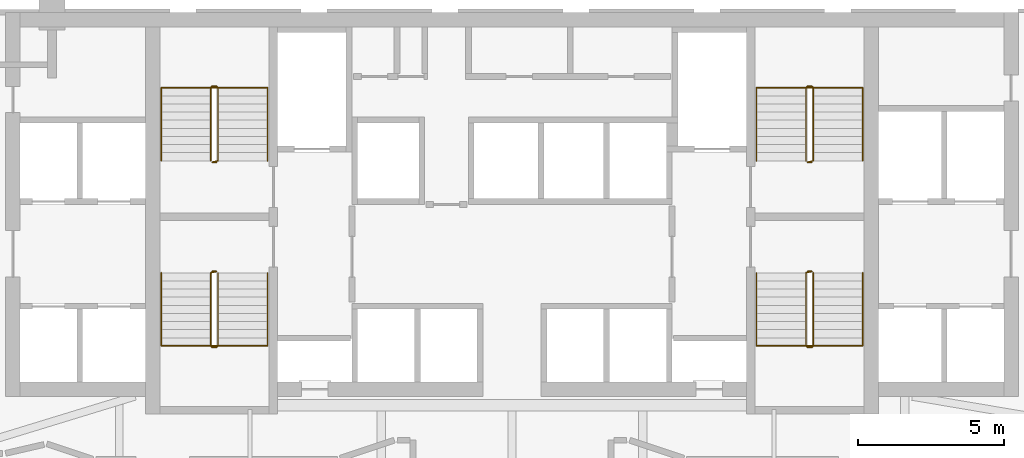
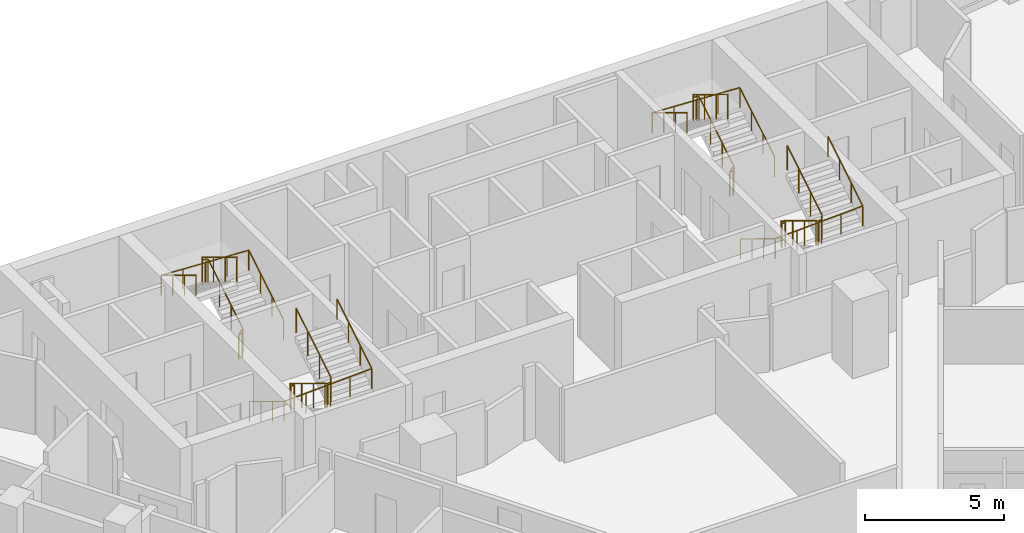
# One storey, part 10 of 10: 8 railings.
"""IFC4 building model written with IfcOpenShell, lengths in metres."""

from ifc_helpers import new_model, si_unit, direction, frame, origin, origin_2d, place, context, subcontext, project, spatial, circle, extrude, material, type_object, element, save


model = new_model("IFC4")

# Units and contexts
model_context = context("Model", 3, precision=1e-05, world=origin(), true_north=direction((0.0, 1.0)))
body_context = subcontext(model_context, "Body", "Model", "MODEL_VIEW")
ifc_project = project(units=[si_unit("LENGTHUNIT", "METRE"), si_unit("AREAUNIT", "SQUARE_METRE"), si_unit("VOLUMEUNIT", "CUBIC_METRE"), si_unit("PLANEANGLEUNIT", "RADIAN"), si_unit("MASSUNIT", "GRAM", prefix="KILO")], contexts=[model_context])

# Site, building, storey
site_placement = place(None, origin())
site = spatial("IfcSite", under=ifc_project, at=site_placement, CompositionType="ELEMENT")
building_placement = place(site_placement, origin())
building = spatial("IfcBuilding", under=site, at=building_placement, Name="Calabash Gate Tower", CompositionType="ELEMENT")
storey_placement = place(building_placement, frame((0.0, 0.0, 95.199951171875)))
storey = spatial("IfcBuildingStorey", under=building, at=storey_placement, Name="L20", CompositionType="ELEMENT", Elevation=95.199951171875)

# Railings
ifc_material_1 = material(Name="Black powder-coated steel balusters", Category="steel")
railing_type_1 = type_object("IfcRailingType", Name="Stair guard RL1100", PredefinedType="GUARDRAIL", material=ifc_material_1)
railing_1_placement = place(storey_placement, frame((-10.14990234375, 13.902587890625, 0.0)))
element("IfcRailing", 1, at=railing_1_placement, inside=storey, type_object=railing_type_1, Name="L20 ST1 stair guard 1", PredefinedType="GUARDRAIL", context=body_context, shape_type="SweptSolid", body=[
    extrude(circle(Radius=0.02392578125, at=origin_2d()), frame((0.0, 0.0, 1.076171875), z_axis=(-1.0, 0.0, 0.0), x_axis=(0.0, -1.0, 0.0)), (0.0, 0.0, 1.0), 0.150146484375),
    extrude(circle(Radius=0.02392578125, at=origin_2d()), frame((-0.150146484375, 0.0, 1.076171875), z_axis=(0.748079357382, 0.187248190798, 0.636643848712), x_axis=(-0.242814311512, 0.970072785993, 0.0)), (0.0, 0.0, 1.0), 0.267333984375),
    extrude(circle(Radius=0.02392578125, at=origin_2d()), frame((0.0498046875, 0.050048828125, 1.24609375), z_axis=(0.0, 0.853993254676, 0.52028407718), x_axis=(-1.0, 0.0, 0.0)), (0.0, 0.0, 1.0), 2.940185546875),
    extrude(circle(Radius=0.02392578125, at=origin_2d()), frame((0.0498046875, 2.56103515625, 2.77587890625), z_axis=(-0.705375805398, 0.708833529934, 0.0), x_axis=(-0.708833529934, -0.705375805398, 0.0)), (0.0, 0.0, 1.0), 0.070556640625),
    extrude(circle(Radius=0.02392578125, at=origin_2d()), frame((0.0, 2.611083984375, 2.77587890625), z_axis=(-1.0, 0.0, 0.0), x_axis=(0.0, -1.0, 0.0)), (0.0, 0.0, 1.0), 0.150146484375),
    extrude(circle(Radius=0.02392578125, at=origin_2d()), frame((-0.150146484375, 2.611083984375, 2.77587890625), z_axis=(-0.271562723297, -0.271562723297, 0.923313259209), x_axis=(0.707106781187, -0.707106781187, 0.0)), (0.0, 0.0, 1.0), 0.184326171875),
    extrude(circle(Radius=0.02392578125, at=origin_2d()), frame((-0.2001953125, 2.56103515625, 2.9462890625), z_axis=(0.0, -0.853956361026, 0.520344629514), x_axis=(1.0, 0.0, 0.0)), (0.0, 0.0, 1.0), 2.9404296875),
    extrude(circle(Radius=0.02099609375, at=origin_2d()), origin(), (0.0, 0.0, 1.0), 1.052001953125),
    extrude(circle(Radius=0.02099609375, at=origin_2d()), frame((-0.150146484375, 0.0, 0.0)), (0.0, 0.0, 1.0), 1.052001953125),
    extrude(circle(Radius=0.02099609375, at=origin_2d()), frame((0.0498046875, 0.050048828125, 0.170166015625)), (0.0, 0.0, 1.0), 1.052001953125),
    extrude(circle(Radius=0.02099609375, at=origin_2d()), frame((0.0498046875, 0.886962890625, 0.68017578125)), (0.0, 0.0, 1.0), 1.052001953125),
    extrude(circle(Radius=0.02099609375, at=origin_2d()), frame((0.0498046875, 1.72412109375, 1.18994140625)), (0.0, 0.0, 1.0), 1.052001953125),
    extrude(circle(Radius=0.02099609375, at=origin_2d()), frame((0.0498046875, 2.56103515625, 1.699951171875)), (0.0, 0.0, 1.0), 1.052001953125),
    extrude(circle(Radius=0.02099609375, at=origin_2d()), frame((0.0, 2.611083984375, 1.699951171875)), (0.0, 0.0, 1.0), 1.052001953125),
    extrude(circle(Radius=0.02099609375, at=origin_2d()), frame((-0.150146484375, 2.611083984375, 1.699951171875)), (0.0, 0.0, 1.0), 1.052001953125),
    extrude(circle(Radius=0.02099609375, at=origin_2d()), frame((-0.2001953125, 2.56103515625, 1.8701171875)), (0.0, 0.0, 1.0), 1.052001953125),
    extrude(circle(Radius=0.02099609375, at=origin_2d()), frame((-0.2001953125, 1.72412109375, 2.380126953125)), (0.0, 0.0, 1.0), 1.052001953125),
    extrude(circle(Radius=0.02099609375, at=origin_2d()), frame((-0.2001953125, 0.886962890625, 2.89013671875)), (0.0, 0.0, 1.0), 1.052001953125),
    extrude(circle(Radius=0.02099609375, at=origin_2d()), frame((-0.2001953125, 0.050048828125, 3.400146484375)), (0.0, 0.0, 1.0), 1.052001953125),
])
railing_2_placement = place(storey_placement, frame((-10.300048828125, 10.152587890625, 0.0)))
element("IfcRailing", 2, at=railing_2_placement, inside=storey, type_object=railing_type_1, Name="L20 ST2 stair guard 1", PredefinedType="GUARDRAIL", context=body_context, shape_type="SweptSolid", body=[
    extrude(circle(Radius=0.02392578125, at=origin_2d()), frame((0.0, 0.0, 1.076171875), z_axis=(1.0, 0.0, 0.0), x_axis=(0.0, 1.0, 0.0)), (0.0, 0.0, 1.0), 0.150146484375),
    extrude(circle(Radius=0.02392578125, at=origin_2d()), frame((0.150146484375, 0.0, 1.076171875), z_axis=(-0.748481188565, -0.187120297141, 0.63620901028), x_axis=(0.242535625036, -0.970142500145, 0.0)), (0.0, 0.0, 1.0), 0.267578125),
    extrude(circle(Radius=0.02392578125, at=origin_2d()), frame((-0.050048828125, -0.050048828125, 1.24609375), z_axis=(0.0, -0.853993254676, 0.52028407718), x_axis=(1.0, 0.0, 0.0)), (0.0, 0.0, 1.0), 2.940185546875),
    extrude(circle(Radius=0.02392578125, at=origin_2d()), frame((-0.050048828125, -2.56103515625, 2.77587890625), z_axis=(0.707106781187, -0.707106781187, 0.0), x_axis=(0.707106781187, 0.707106781187, 0.0)), (0.0, 0.0, 1.0), 0.07080078125),
    extrude(circle(Radius=0.02392578125, at=origin_2d()), frame((0.0, -2.611083984375, 2.77587890625), z_axis=(1.0, 0.0, 0.0), x_axis=(0.0, 1.0, 0.0)), (0.0, 0.0, 1.0), 0.150146484375),
    extrude(circle(Radius=0.02392578125, at=origin_2d()), frame((0.150146484375, -2.611083984375, 2.77587890625), z_axis=(0.270335057127, 0.271660228976, 0.923644778517), x_axis=(-0.708833529934, 0.705375805398, 0.0)), (0.0, 0.0, 1.0), 0.184326171875),
    extrude(circle(Radius=0.02392578125, at=origin_2d()), frame((0.199951171875, -2.56103515625, 2.9462890625), z_axis=(0.0, 0.853956361026, 0.520344629514), x_axis=(-1.0, 0.0, 0.0)), (0.0, 0.0, 1.0), 2.9404296875),
    extrude(circle(Radius=0.02099609375, at=origin_2d()), origin(), (0.0, 0.0, 1.0), 1.052001953125),
    extrude(circle(Radius=0.02099609375, at=origin_2d()), frame((0.150146484375, 0.0, 0.0)), (0.0, 0.0, 1.0), 1.052001953125),
    extrude(circle(Radius=0.02099609375, at=origin_2d()), frame((-0.050048828125, -0.050048828125, 0.170166015625)), (0.0, 0.0, 1.0), 1.052001953125),
    extrude(circle(Radius=0.02099609375, at=origin_2d()), frame((-0.050048828125, -0.886962890625, 0.68017578125)), (0.0, 0.0, 1.0), 1.052001953125),
    extrude(circle(Radius=0.02099609375, at=origin_2d()), frame((-0.050048828125, -1.72412109375, 1.18994140625)), (0.0, 0.0, 1.0), 1.052001953125),
    extrude(circle(Radius=0.02099609375, at=origin_2d()), frame((-0.050048828125, -2.56103515625, 1.699951171875)), (0.0, 0.0, 1.0), 1.052001953125),
    extrude(circle(Radius=0.02099609375, at=origin_2d()), frame((0.0, -2.611083984375, 1.699951171875)), (0.0, 0.0, 1.0), 1.052001953125),
    extrude(circle(Radius=0.02099609375, at=origin_2d()), frame((0.150146484375, -2.611083984375, 1.699951171875)), (0.0, 0.0, 1.0), 1.052001953125),
    extrude(circle(Radius=0.02099609375, at=origin_2d()), frame((0.199951171875, -2.56103515625, 1.8701171875)), (0.0, 0.0, 1.0), 1.052001953125),
    extrude(circle(Radius=0.02099609375, at=origin_2d()), frame((0.199951171875, -1.72412109375, 2.380126953125)), (0.0, 0.0, 1.0), 1.052001953125),
    extrude(circle(Radius=0.02099609375, at=origin_2d()), frame((0.199951171875, -0.886962890625, 2.89013671875)), (0.0, 0.0, 1.0), 1.052001953125),
    extrude(circle(Radius=0.02099609375, at=origin_2d()), frame((0.199951171875, -0.050048828125, 3.400146484375)), (0.0, 0.0, 1.0), 1.052001953125),
])
railing_3_placement = place(storey_placement, frame((10.300048828125, 13.902587890625, 0.0)))
element("IfcRailing", 3, at=railing_3_placement, inside=storey, type_object=railing_type_1, Name="L20 ST3 stair guard 1", PredefinedType="GUARDRAIL", context=body_context, shape_type="SweptSolid", body=[
    extrude(circle(Radius=0.02392578125, at=origin_2d()), frame((0.0, 0.0, 1.076171875), z_axis=(-1.0, 0.0, 0.0), x_axis=(0.0, -1.0, 0.0)), (0.0, 0.0, 1.0), 0.150146484375),
    extrude(circle(Radius=0.02392578125, at=origin_2d()), frame((-0.150146484375, 0.0, 1.076171875), z_axis=(0.748481188565, 0.187120297141, 0.63620901028), x_axis=(-0.242535625036, 0.970142500145, 0.0)), (0.0, 0.0, 1.0), 0.267578125),
    extrude(circle(Radius=0.02392578125, at=origin_2d()), frame((0.050048828125, 0.050048828125, 1.24609375), z_axis=(0.0, 0.853993254676, 0.52028407718), x_axis=(-1.0, 0.0, 0.0)), (0.0, 0.0, 1.0), 2.940185546875),
    extrude(circle(Radius=0.02392578125, at=origin_2d()), frame((0.050048828125, 2.56103515625, 2.77587890625), z_axis=(-0.707106781187, 0.707106781187, 0.0), x_axis=(-0.707106781187, -0.707106781187, 0.0)), (0.0, 0.0, 1.0), 0.07080078125),
    extrude(circle(Radius=0.02392578125, at=origin_2d()), frame((0.0, 2.611083984375, 2.77587890625), z_axis=(-1.0, 0.0, 0.0), x_axis=(0.0, -1.0, 0.0)), (0.0, 0.0, 1.0), 0.150146484375),
    extrude(circle(Radius=0.02392578125, at=origin_2d()), frame((-0.150146484375, 2.611083984375, 2.77587890625), z_axis=(-0.270335057127, -0.271660228976, 0.923644778517), x_axis=(0.708833529934, -0.705375805398, 0.0)), (0.0, 0.0, 1.0), 0.184326171875),
    extrude(circle(Radius=0.02392578125, at=origin_2d()), frame((-0.199951171875, 2.56103515625, 2.9462890625), z_axis=(0.0, -0.853956361026, 0.520344629514), x_axis=(1.0, 0.0, 0.0)), (0.0, 0.0, 1.0), 2.9404296875),
    extrude(circle(Radius=0.02099609375, at=origin_2d()), origin(), (0.0, 0.0, 1.0), 1.052001953125),
    extrude(circle(Radius=0.02099609375, at=origin_2d()), frame((-0.150146484375, 0.0, 0.0)), (0.0, 0.0, 1.0), 1.052001953125),
    extrude(circle(Radius=0.02099609375, at=origin_2d()), frame((0.050048828125, 0.050048828125, 0.170166015625)), (0.0, 0.0, 1.0), 1.052001953125),
    extrude(circle(Radius=0.02099609375, at=origin_2d()), frame((0.050048828125, 0.886962890625, 0.68017578125)), (0.0, 0.0, 1.0), 1.052001953125),
    extrude(circle(Radius=0.02099609375, at=origin_2d()), frame((0.050048828125, 1.72412109375, 1.18994140625)), (0.0, 0.0, 1.0), 1.052001953125),
    extrude(circle(Radius=0.02099609375, at=origin_2d()), frame((0.050048828125, 2.56103515625, 1.699951171875)), (0.0, 0.0, 1.0), 1.052001953125),
    extrude(circle(Radius=0.02099609375, at=origin_2d()), frame((0.0, 2.611083984375, 1.699951171875)), (0.0, 0.0, 1.0), 1.052001953125),
    extrude(circle(Radius=0.02099609375, at=origin_2d()), frame((-0.150146484375, 2.611083984375, 1.699951171875)), (0.0, 0.0, 1.0), 1.052001953125),
    extrude(circle(Radius=0.02099609375, at=origin_2d()), frame((-0.199951171875, 2.56103515625, 1.8701171875)), (0.0, 0.0, 1.0), 1.052001953125),
    extrude(circle(Radius=0.02099609375, at=origin_2d()), frame((-0.199951171875, 1.72412109375, 2.380126953125)), (0.0, 0.0, 1.0), 1.052001953125),
    extrude(circle(Radius=0.02099609375, at=origin_2d()), frame((-0.199951171875, 0.886962890625, 2.89013671875)), (0.0, 0.0, 1.0), 1.052001953125),
    extrude(circle(Radius=0.02099609375, at=origin_2d()), frame((-0.199951171875, 0.050048828125, 3.400146484375)), (0.0, 0.0, 1.0), 1.052001953125),
])
railing_4_placement = place(storey_placement, frame((10.14990234375, 10.152587890625, 0.0)))
element("IfcRailing", 4, at=railing_4_placement, inside=storey, type_object=railing_type_1, Name="L20 ST4 stair guard 1", PredefinedType="GUARDRAIL", context=body_context, shape_type="SweptSolid", body=[
    extrude(circle(Radius=0.02392578125, at=origin_2d()), frame((0.0, 0.0, 1.076171875), z_axis=(1.0, 0.0, 0.0), x_axis=(0.0, 1.0, 0.0)), (0.0, 0.0, 1.0), 0.150146484375),
    extrude(circle(Radius=0.02392578125, at=origin_2d()), frame((0.150146484375, 0.0, 1.076171875), z_axis=(-0.748079357382, -0.187248190798, 0.636643848712), x_axis=(0.242814311512, -0.970072785993, 0.0)), (0.0, 0.0, 1.0), 0.267333984375),
    extrude(circle(Radius=0.02392578125, at=origin_2d()), frame((-0.0498046875, -0.050048828125, 1.24609375), z_axis=(0.0, -0.853993254676, 0.52028407718), x_axis=(1.0, 0.0, 0.0)), (0.0, 0.0, 1.0), 2.940185546875),
    extrude(circle(Radius=0.02392578125, at=origin_2d()), frame((-0.0498046875, -2.56103515625, 2.77587890625), z_axis=(0.705375805398, -0.708833529934, 0.0), x_axis=(0.708833529934, 0.705375805398, 0.0)), (0.0, 0.0, 1.0), 0.070556640625),
    extrude(circle(Radius=0.02392578125, at=origin_2d()), frame((0.0, -2.611083984375, 2.77587890625), z_axis=(1.0, 0.0, 0.0), x_axis=(0.0, 1.0, 0.0)), (0.0, 0.0, 1.0), 0.150146484375),
    extrude(circle(Radius=0.02392578125, at=origin_2d()), frame((0.150146484375, -2.611083984375, 2.77587890625), z_axis=(0.271562723297, 0.271562723297, 0.923313259209), x_axis=(-0.707106781187, 0.707106781187, 0.0)), (0.0, 0.0, 1.0), 0.184326171875),
    extrude(circle(Radius=0.02392578125, at=origin_2d()), frame((0.2001953125, -2.56103515625, 2.9462890625), z_axis=(0.0, 0.853956361026, 0.520344629514), x_axis=(-1.0, 0.0, 0.0)), (0.0, 0.0, 1.0), 2.9404296875),
    extrude(circle(Radius=0.02099609375, at=origin_2d()), origin(), (0.0, 0.0, 1.0), 1.052001953125),
    extrude(circle(Radius=0.02099609375, at=origin_2d()), frame((0.150146484375, 0.0, 0.0)), (0.0, 0.0, 1.0), 1.052001953125),
    extrude(circle(Radius=0.02099609375, at=origin_2d()), frame((-0.0498046875, -0.050048828125, 0.170166015625)), (0.0, 0.0, 1.0), 1.052001953125),
    extrude(circle(Radius=0.02099609375, at=origin_2d()), frame((-0.0498046875, -0.886962890625, 0.68017578125)), (0.0, 0.0, 1.0), 1.052001953125),
    extrude(circle(Radius=0.02099609375, at=origin_2d()), frame((-0.0498046875, -1.72412109375, 1.18994140625)), (0.0, 0.0, 1.0), 1.052001953125),
    extrude(circle(Radius=0.02099609375, at=origin_2d()), frame((-0.0498046875, -2.56103515625, 1.699951171875)), (0.0, 0.0, 1.0), 1.052001953125),
    extrude(circle(Radius=0.02099609375, at=origin_2d()), frame((0.0, -2.611083984375, 1.699951171875)), (0.0, 0.0, 1.0), 1.052001953125),
    extrude(circle(Radius=0.02099609375, at=origin_2d()), frame((0.150146484375, -2.611083984375, 1.699951171875)), (0.0, 0.0, 1.0), 1.052001953125),
    extrude(circle(Radius=0.02099609375, at=origin_2d()), frame((0.2001953125, -2.56103515625, 1.8701171875)), (0.0, 0.0, 1.0), 1.052001953125),
    extrude(circle(Radius=0.02099609375, at=origin_2d()), frame((0.2001953125, -1.72412109375, 2.380126953125)), (0.0, 0.0, 1.0), 1.052001953125),
    extrude(circle(Radius=0.02099609375, at=origin_2d()), frame((0.2001953125, -0.886962890625, 2.89013671875)), (0.0, 0.0, 1.0), 1.052001953125),
    extrude(circle(Radius=0.02099609375, at=origin_2d()), frame((0.2001953125, -0.050048828125, 3.400146484375)), (0.0, 0.0, 1.0), 1.052001953125),
])
ifc_material_2 = material(Name="Black powder-coated steel tube 48 mm", Category="steel")
railing_type_2 = type_object("IfcRailingType", Name="Stair handrail RL900", PredefinedType="HANDRAIL", material=ifc_material_2)
railing_5_placement = place(storey_placement, frame((-8.39990234375, 13.95263671875, 0.170166015625)))
element("IfcRailing", 5, at=railing_5_placement, inside=storey, type_object=railing_type_2, Name="L20 ST1 stair handrail 1", PredefinedType="HANDRAIL", context=body_context, shape_type="SweptSolid", body=[
    extrude(circle(Radius=0.02392578125, at=origin_2d()), frame((0.0, 0.0, 0.8759765625), z_axis=(0.0, 0.853993254676, 0.52028407718), x_axis=(-1.0, 0.0, 0.0)), (0.0, 0.0, 1.0), 2.940185546875),
    extrude(circle(Radius=0.02392578125, at=origin_2d()), frame((0.0, 2.510986328125, 2.40576171875), z_axis=(-0.99891510456, 0.0, 0.046568378562), x_axis=(0.0, -1.0, 0.0)), (0.0, 0.0, 1.0), 3.654052734375),
    extrude(circle(Radius=0.02392578125, at=origin_2d()), frame((-3.650146484375, 2.510986328125, 2.57568359375), z_axis=(0.0, -0.853956361026, 0.520344629514), x_axis=(1.0, 0.0, 0.0)), (0.0, 0.0, 1.0), 2.9404296875),
    extrude(circle(Radius=0.02099609375, at=origin_2d()), origin(), (0.0, 0.0, 1.0), 0.851806640625),
    extrude(circle(Radius=0.02099609375, at=origin_2d()), frame((0.0, 0.8369140625, 0.510009765625)), (0.0, 0.0, 1.0), 0.851806640625),
    extrude(circle(Radius=0.02099609375, at=origin_2d()), frame((0.0, 1.674072265625, 1.019775390625)), (0.0, 0.0, 1.0), 0.851806640625),
    extrude(circle(Radius=0.02099609375, at=origin_2d()), frame((0.0, 2.510986328125, 1.52978515625)), (0.0, 0.0, 1.0), 0.851806640625),
    extrude(circle(Radius=0.02099609375, at=origin_2d()), frame((-0.91259765625, 2.510986328125, 1.572265625)), (0.0, 0.0, 1.0), 0.851806640625),
    extrude(circle(Radius=0.02099609375, at=origin_2d()), frame((-1.8251953125, 2.510986328125, 1.61474609375)), (0.0, 0.0, 1.0), 0.851806640625),
    extrude(circle(Radius=0.02099609375, at=origin_2d()), frame((-2.737548828125, 2.510986328125, 1.657470703125)), (0.0, 0.0, 1.0), 0.851806640625),
    extrude(circle(Radius=0.02099609375, at=origin_2d()), frame((-3.650146484375, 2.510986328125, 1.699951171875)), (0.0, 0.0, 1.0), 0.851806640625),
    extrude(circle(Radius=0.02099609375, at=origin_2d()), frame((-3.650146484375, 1.674072265625, 2.2099609375)), (0.0, 0.0, 1.0), 0.851806640625),
    extrude(circle(Radius=0.02099609375, at=origin_2d()), frame((-3.650146484375, 0.8369140625, 2.719970703125)), (0.0, 0.0, 1.0), 0.851806640625),
    extrude(circle(Radius=0.02099609375, at=origin_2d()), frame((-3.650146484375, 0.0, 3.22998046875)), (0.0, 0.0, 1.0), 0.851806640625),
])
railing_6_placement = place(storey_placement, frame((-12.050048828125, 10.1025390625, 0.170166015625)))
element("IfcRailing", 6, at=railing_6_placement, inside=storey, type_object=railing_type_2, Name="L20 ST2 stair handrail 1", PredefinedType="HANDRAIL", context=body_context, shape_type="SweptSolid", body=[
    extrude(circle(Radius=0.02392578125, at=origin_2d()), frame((0.0, 0.0, 0.8759765625), z_axis=(0.0, -0.853993254676, 0.52028407718), x_axis=(1.0, 0.0, 0.0)), (0.0, 0.0, 1.0), 2.940185546875),
    extrude(circle(Radius=0.02392578125, at=origin_2d()), frame((0.0, -2.510986328125, 2.40576171875), z_axis=(0.99891510456, 0.0, 0.046568378562), x_axis=(0.0, 1.0, 0.0)), (0.0, 0.0, 1.0), 3.654052734375),
    extrude(circle(Radius=0.02392578125, at=origin_2d()), frame((3.650146484375, -2.510986328125, 2.57568359375), z_axis=(0.0, 0.853956361026, 0.520344629514), x_axis=(-1.0, 0.0, 0.0)), (0.0, 0.0, 1.0), 2.9404296875),
    extrude(circle(Radius=0.02099609375, at=origin_2d()), origin(), (0.0, 0.0, 1.0), 0.851806640625),
    extrude(circle(Radius=0.02099609375, at=origin_2d()), frame((0.0, -0.8369140625, 0.510009765625)), (0.0, 0.0, 1.0), 0.851806640625),
    extrude(circle(Radius=0.02099609375, at=origin_2d()), frame((0.0, -1.674072265625, 1.019775390625)), (0.0, 0.0, 1.0), 0.851806640625),
    extrude(circle(Radius=0.02099609375, at=origin_2d()), frame((0.0, -2.510986328125, 1.52978515625)), (0.0, 0.0, 1.0), 0.851806640625),
    extrude(circle(Radius=0.02099609375, at=origin_2d()), frame((0.91259765625, -2.510986328125, 1.572265625)), (0.0, 0.0, 1.0), 0.851806640625),
    extrude(circle(Radius=0.02099609375, at=origin_2d()), frame((1.8251953125, -2.510986328125, 1.61474609375)), (0.0, 0.0, 1.0), 0.851806640625),
    extrude(circle(Radius=0.02099609375, at=origin_2d()), frame((2.737548828125, -2.510986328125, 1.657470703125)), (0.0, 0.0, 1.0), 0.851806640625),
    extrude(circle(Radius=0.02099609375, at=origin_2d()), frame((3.650146484375, -2.510986328125, 1.699951171875)), (0.0, 0.0, 1.0), 0.851806640625),
    extrude(circle(Radius=0.02099609375, at=origin_2d()), frame((3.650146484375, -1.674072265625, 2.2099609375)), (0.0, 0.0, 1.0), 0.851806640625),
    extrude(circle(Radius=0.02099609375, at=origin_2d()), frame((3.650146484375, -0.8369140625, 2.719970703125)), (0.0, 0.0, 1.0), 0.851806640625),
    extrude(circle(Radius=0.02099609375, at=origin_2d()), frame((3.650146484375, 0.0, 3.22998046875)), (0.0, 0.0, 1.0), 0.851806640625),
])
railing_7_placement = place(storey_placement, frame((12.050048828125, 13.95263671875, 0.170166015625)))
element("IfcRailing", 7, at=railing_7_placement, inside=storey, type_object=railing_type_2, Name="L20 ST3 stair handrail 1", PredefinedType="HANDRAIL", context=body_context, shape_type="SweptSolid", body=[
    extrude(circle(Radius=0.02392578125, at=origin_2d()), frame((0.0, 0.0, 0.8759765625), z_axis=(0.0, 0.853993254676, 0.52028407718), x_axis=(-1.0, 0.0, 0.0)), (0.0, 0.0, 1.0), 2.940185546875),
    extrude(circle(Radius=0.02392578125, at=origin_2d()), frame((0.0, 2.510986328125, 2.40576171875), z_axis=(-0.99891510456, 0.0, 0.046568378562), x_axis=(0.0, -1.0, 0.0)), (0.0, 0.0, 1.0), 3.654052734375),
    extrude(circle(Radius=0.02392578125, at=origin_2d()), frame((-3.650146484375, 2.510986328125, 2.57568359375), z_axis=(0.0, -0.853956361026, 0.520344629514), x_axis=(1.0, 0.0, 0.0)), (0.0, 0.0, 1.0), 2.9404296875),
    extrude(circle(Radius=0.02099609375, at=origin_2d()), origin(), (0.0, 0.0, 1.0), 0.851806640625),
    extrude(circle(Radius=0.02099609375, at=origin_2d()), frame((0.0, 0.8369140625, 0.510009765625)), (0.0, 0.0, 1.0), 0.851806640625),
    extrude(circle(Radius=0.02099609375, at=origin_2d()), frame((0.0, 1.674072265625, 1.019775390625)), (0.0, 0.0, 1.0), 0.851806640625),
    extrude(circle(Radius=0.02099609375, at=origin_2d()), frame((0.0, 2.510986328125, 1.52978515625)), (0.0, 0.0, 1.0), 0.851806640625),
    extrude(circle(Radius=0.02099609375, at=origin_2d()), frame((-0.91259765625, 2.510986328125, 1.572265625)), (0.0, 0.0, 1.0), 0.851806640625),
    extrude(circle(Radius=0.02099609375, at=origin_2d()), frame((-1.8251953125, 2.510986328125, 1.61474609375)), (0.0, 0.0, 1.0), 0.851806640625),
    extrude(circle(Radius=0.02099609375, at=origin_2d()), frame((-2.737548828125, 2.510986328125, 1.657470703125)), (0.0, 0.0, 1.0), 0.851806640625),
    extrude(circle(Radius=0.02099609375, at=origin_2d()), frame((-3.650146484375, 2.510986328125, 1.699951171875)), (0.0, 0.0, 1.0), 0.851806640625),
    extrude(circle(Radius=0.02099609375, at=origin_2d()), frame((-3.650146484375, 1.674072265625, 2.2099609375)), (0.0, 0.0, 1.0), 0.851806640625),
    extrude(circle(Radius=0.02099609375, at=origin_2d()), frame((-3.650146484375, 0.8369140625, 2.719970703125)), (0.0, 0.0, 1.0), 0.851806640625),
    extrude(circle(Radius=0.02099609375, at=origin_2d()), frame((-3.650146484375, 0.0, 3.22998046875)), (0.0, 0.0, 1.0), 0.851806640625),
])
railing_8_placement = place(storey_placement, frame((8.39990234375, 10.1025390625, 0.170166015625)))
element("IfcRailing", 8, at=railing_8_placement, inside=storey, type_object=railing_type_2, Name="L20 ST4 stair handrail 1", PredefinedType="HANDRAIL", context=body_context, shape_type="SweptSolid", body=[
    extrude(circle(Radius=0.02392578125, at=origin_2d()), frame((0.0, 0.0, 0.8759765625), z_axis=(0.0, -0.853993254676, 0.52028407718), x_axis=(1.0, 0.0, 0.0)), (0.0, 0.0, 1.0), 2.940185546875),
    extrude(circle(Radius=0.02392578125, at=origin_2d()), frame((0.0, -2.510986328125, 2.40576171875), z_axis=(0.99891510456, 0.0, 0.046568378562), x_axis=(0.0, 1.0, 0.0)), (0.0, 0.0, 1.0), 3.654052734375),
    extrude(circle(Radius=0.02392578125, at=origin_2d()), frame((3.650146484375, -2.510986328125, 2.57568359375), z_axis=(0.0, 0.853956361026, 0.520344629514), x_axis=(-1.0, 0.0, 0.0)), (0.0, 0.0, 1.0), 2.9404296875),
    extrude(circle(Radius=0.02099609375, at=origin_2d()), origin(), (0.0, 0.0, 1.0), 0.851806640625),
    extrude(circle(Radius=0.02099609375, at=origin_2d()), frame((0.0, -0.8369140625, 0.510009765625)), (0.0, 0.0, 1.0), 0.851806640625),
    extrude(circle(Radius=0.02099609375, at=origin_2d()), frame((0.0, -1.674072265625, 1.019775390625)), (0.0, 0.0, 1.0), 0.851806640625),
    extrude(circle(Radius=0.02099609375, at=origin_2d()), frame((0.0, -2.510986328125, 1.52978515625)), (0.0, 0.0, 1.0), 0.851806640625),
    extrude(circle(Radius=0.02099609375, at=origin_2d()), frame((0.91259765625, -2.510986328125, 1.572265625)), (0.0, 0.0, 1.0), 0.851806640625),
    extrude(circle(Radius=0.02099609375, at=origin_2d()), frame((1.8251953125, -2.510986328125, 1.61474609375)), (0.0, 0.0, 1.0), 0.851806640625),
    extrude(circle(Radius=0.02099609375, at=origin_2d()), frame((2.737548828125, -2.510986328125, 1.657470703125)), (0.0, 0.0, 1.0), 0.851806640625),
    extrude(circle(Radius=0.02099609375, at=origin_2d()), frame((3.650146484375, -2.510986328125, 1.699951171875)), (0.0, 0.0, 1.0), 0.851806640625),
    extrude(circle(Radius=0.02099609375, at=origin_2d()), frame((3.650146484375, -1.674072265625, 2.2099609375)), (0.0, 0.0, 1.0), 0.851806640625),
    extrude(circle(Radius=0.02099609375, at=origin_2d()), frame((3.650146484375, -0.8369140625, 2.719970703125)), (0.0, 0.0, 1.0), 0.851806640625),
    extrude(circle(Radius=0.02099609375, at=origin_2d()), frame((3.650146484375, 0.0, 3.22998046875)), (0.0, 0.0, 1.0), 0.851806640625),
])

save(model, "model.ifc")
